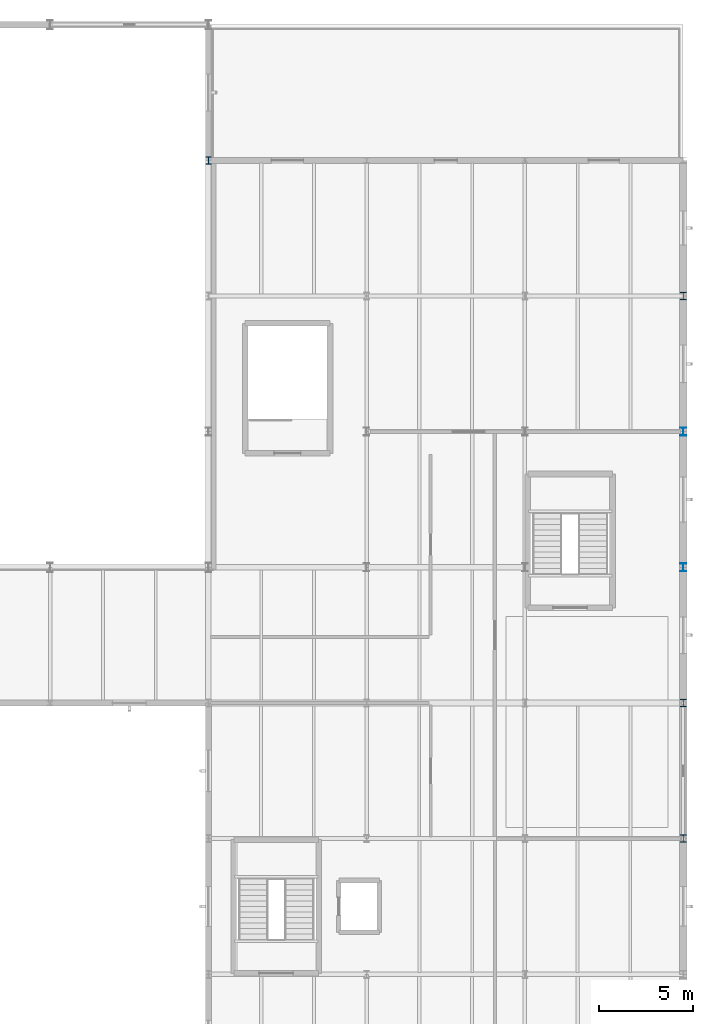
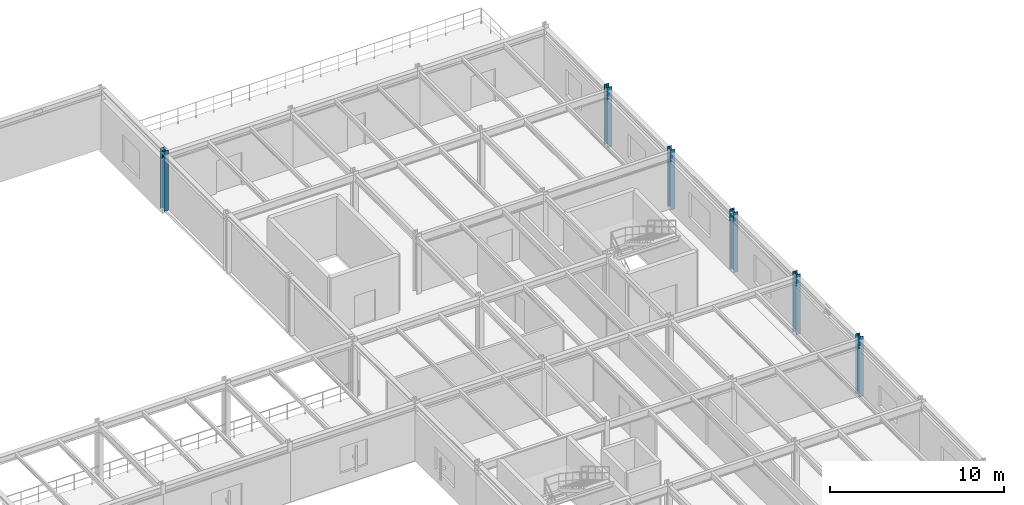
# One storey, part 18 of 109: 6 columns.
"""IFC4 building model written with IfcOpenShell, lengths in metres."""

from ifc_helpers import new_model, si_unit, derived_unit, direction, frame, origin, origin_2d, place, context, subcontext, project, spatial, i_section, extrude, material, material_profile, profile_set, type_object, element, save


model = new_model("IFC4")

# Units and contexts
model_context = context("Model", 3, precision=1e-05, world=origin(), true_north=direction((0.0, 1.0)))
body_context = subcontext(model_context, "Body", "Model", "MODEL_VIEW")
ifc_project = project(units=[si_unit("LENGTHUNIT", "METRE"), si_unit("AREAUNIT", "SQUARE_METRE"), si_unit("VOLUMEUNIT", "CUBIC_METRE"), si_unit("PLANEANGLEUNIT", "RADIAN"), si_unit("MASSUNIT", "GRAM", prefix="KILO"), derived_unit("THERMALTRANSMITTANCEUNIT", [(si_unit("MASSUNIT", "GRAM", prefix="KILO"), 1), (si_unit("TIMEUNIT", "SECOND"), -3), (si_unit("THERMODYNAMICTEMPERATUREUNIT", "KELVIN"), -1)])], contexts=[model_context])

# Site, building, storey
site_placement = place(None, origin())
site = spatial("IfcSite", under=ifc_project, at=site_placement, CompositionType="ELEMENT")
building_placement = place(site_placement, origin())
building = spatial("IfcBuilding", under=site, at=building_placement, Name="Kharveza Railside Sports Centre", CompositionType="ELEMENT")
storey_placement = place(building_placement, frame((0.0, 0.0, 4.5)))
storey = spatial("IfcBuildingStorey", under=building, at=storey_placement, Name="L01", CompositionType="ELEMENT", Elevation=4.5)

# Columns
ifc_material = material(Name="Steel S355J2", Category="steel")
ifc_material_profile_1 = material_profile(ifc_material, i_section(OverallWidth=0.300048828125, OverallDepth=0.39990234375, WebThickness=0.013427734375, FlangeThickness=0.02392578125, FilletRadius=0.027099609375, at=origin_2d()), Name="HEB 400")
ifc_profile_set_1 = profile_set([ifc_material_profile_1], Name="Steel S355J2")
column_type_1 = type_object("IfcColumnType", Name="COL-S05", PredefinedType="COLUMN", material=ifc_profile_set_1)
for number, where, z_axis, x_axis, name in (
    (1, (168.0, 64.800048828125, 0.0), (0.0, 0.0, 1.0), (1.0, 0.0, 0.0), "COL-G-C05-X1680-Y648-L01"),
    (2, (168.0, 72.0, 0.0), (0.0, 0.0, 1.0), (1.0, 0.0, 0.0), "COL-G-C05-X1680-Y720-L01"),
):
    element("IfcColumn", number, at=place(storey_placement, frame(where, z_axis=z_axis, x_axis=x_axis)), inside=storey, type_object=column_type_1, Name=name, PredefinedType="COLUMN", context=body_context, shape_type="SweptSolid", body=[
        extrude(i_section(OverallWidth=0.300048828125, OverallDepth=0.39990234375, WebThickness=0.013427734375, FlangeThickness=0.02392578125, FilletRadius=0.027099609375, at=origin_2d()), origin(), (0.0, 0.0, 1.0), 4.199951171875),
    ])
ifc_material_profile_2 = material_profile(ifc_material, i_section(OverallWidth=0.300048828125, OverallDepth=0.43994140625, WebThickness=0.011474609375, FlangeThickness=0.02099609375, FilletRadius=0.027099609375, at=origin_2d()), Name="HEA 450")
ifc_profile_set_2 = profile_set([ifc_material_profile_2], Name="Steel S355J2")
column_type_2 = type_object("IfcColumnType", Name="COL-S09", PredefinedType="COLUMN", material=ifc_profile_set_2)
for number, where, z_axis, x_axis, name in (
    (3, (168.0, 79.199951171875, 0.0), (0.0, 0.0, 1.0), (1.0, 0.0, 0.0), "COL-G-C09-X1680-Y792-L01"),
    (4, (168.0, 86.39990234375, 0.0), (0.0, 0.0, 1.0), (1.0, 0.0, 0.0), "COL-G-C09-X1680-Y864-L01"),
):
    element("IfcColumn", number, at=place(storey_placement, frame(where, z_axis=z_axis, x_axis=x_axis)), inside=storey, type_object=column_type_2, Name=name, PredefinedType="COLUMN", context=body_context, shape_type="SweptSolid", body=[
        extrude(i_section(OverallWidth=0.300048828125, OverallDepth=0.43994140625, WebThickness=0.011474609375, FlangeThickness=0.02099609375, FilletRadius=0.027099609375, at=origin_2d()), origin(), (0.0, 0.0, 1.0), 4.199951171875),
    ])
ifc_material_profile_3 = material_profile(ifc_material, i_section(OverallWidth=0.300048828125, OverallDepth=0.389892578125, WebThickness=0.010986328125, FlangeThickness=0.01904296875, FilletRadius=0.027099609375, at=origin_2d()), Name="HEA 400")
ifc_profile_set_3 = profile_set([ifc_material_profile_3], Name="Steel S355J2")
column_type_3 = type_object("IfcColumnType", Name="COL-S10", PredefinedType="COLUMN", material=ifc_profile_set_3)
for number, where, z_axis, x_axis, name in (
    (5, (142.800048828125, 100.800048828125, 0.0), (0.0, 0.0, 1.0), (1.0, 0.0, 0.0), "COL-G-C10-X1428-Y1008-L01"),
    (6, (168.0, 93.60009765625, 0.0), (0.0, 0.0, 1.0), (1.0, 0.0, 0.0), "COL-G-C10-X1680-Y936-L01"),
):
    element("IfcColumn", number, at=place(storey_placement, frame(where, z_axis=z_axis, x_axis=x_axis)), inside=storey, type_object=column_type_3, Name=name, PredefinedType="COLUMN", context=body_context, shape_type="SweptSolid", body=[
        extrude(i_section(OverallWidth=0.300048828125, OverallDepth=0.389892578125, WebThickness=0.010986328125, FlangeThickness=0.01904296875, FilletRadius=0.027099609375, at=origin_2d()), origin(), (0.0, 0.0, 1.0), 4.199951171875),
    ])

save(model, "model.ifc")
